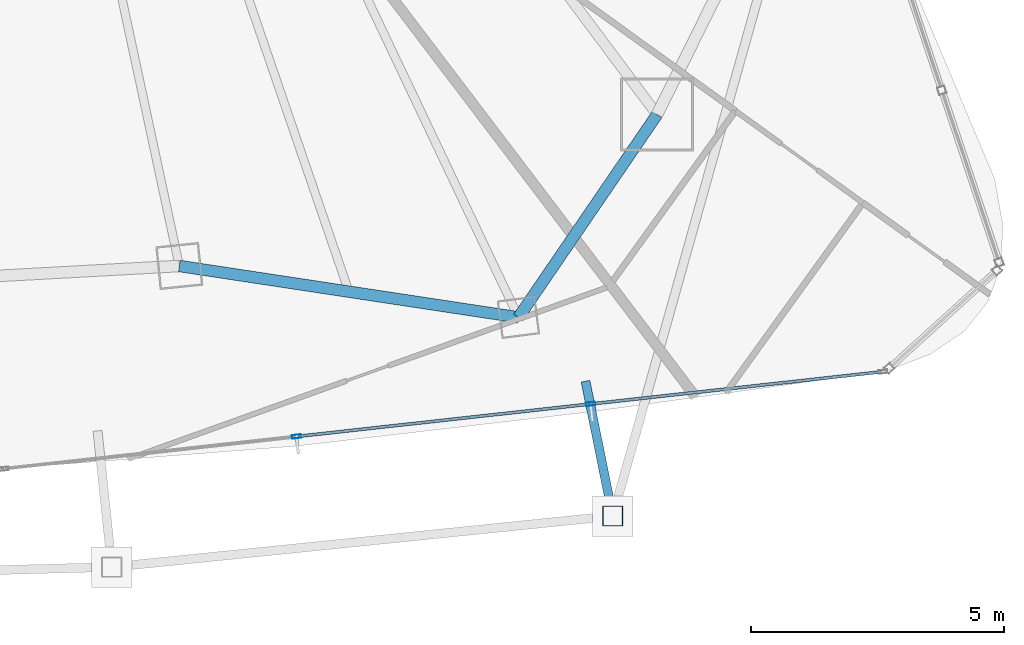
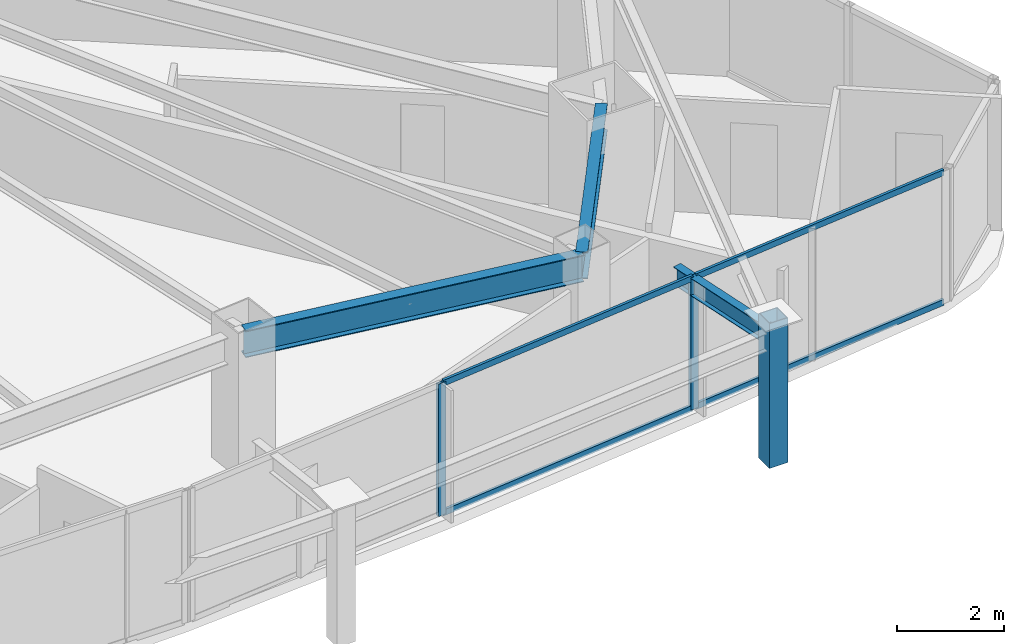
# One storey, part 12 of 30: 7 members, 3 beams, 1 element without a shape of its own.
"""IFC4 building model written with IfcOpenShell, lengths in metres."""

from ifc_helpers import new_model, si_unit, direction, frame, origin, origin_2d, place, context, subcontext, project, spatial, hollow_rectangle, i_section, extrude, material, layer, layer_set, material_profile, profile_set, type_object, element, aggregate, save


model = new_model("IFC4")

# Units and contexts
model_context = context("Model", 3, precision=1e-05, world=origin(), true_north=direction((0.0, 1.0)))
body_context = subcontext(model_context, "Body", "Model", "MODEL_VIEW")
ifc_project = project(units=[si_unit("LENGTHUNIT", "METRE"), si_unit("AREAUNIT", "SQUARE_METRE"), si_unit("VOLUMEUNIT", "CUBIC_METRE"), si_unit("PLANEANGLEUNIT", "RADIAN"), si_unit("MASSUNIT", "GRAM", prefix="KILO")], contexts=[model_context])

# Site, building, storey
site_placement = place(None, origin())
site = spatial("IfcSite", under=ifc_project, at=site_placement, CompositionType="ELEMENT")
building_placement = place(site_placement, origin())
building = spatial("IfcBuilding", under=site, at=building_placement, Name="Orvanel Arch Residences", CompositionType="ELEMENT")
storey_placement = place(building_placement, frame((0.0, 0.0, 143.0)))
storey = spatial("IfcBuildingStorey", under=building, at=storey_placement, Name="L40", CompositionType="ELEMENT", Elevation=143.0)

# Curtain wall, members
ifc_material_1 = material(Name="Bronze-anodised aluminium AA6063-T6", Category="aluminium")
ifc_layer = layer(ifc_material_1, 0.179931640625)
ifc_layer_set = layer_set([ifc_layer], Name="Bronze-anodised aluminium AA6063-T6")
curtain_wall_type = type_object("IfcCurtainWallType", Name="CW3-MID-SYS", PredefinedType="NOTDEFINED", material=ifc_layer_set)
curtain_wall_placement = place(storey_placement, origin())
curtain_wall = element("IfcCurtainWall", 1, at=curtain_wall_placement, inside=storey, type_object=curtain_wall_type, Name="L40 CW3-MID-SYS Unitised Curtain Wall", PredefinedType="NOTDEFINED")
ifc_material_profile_1 = material_profile(ifc_material_1, hollow_rectangle(XDim=0.070068359375, YDim=0.179931640625, WallThickness=0.00439453125, at=origin_2d()), Name="ALU180x70x4.5")
ifc_profile_set_1 = profile_set([ifc_material_profile_1], Name="Bronze-anodised aluminium AA6063-T6")
member_type_1 = type_object("IfcMemberType", Name="MUL-180x70", PredefinedType="MULLION", material=ifc_profile_set_1)
member_1_placement = place(storey_placement, frame((44.668701171875, 3.98193359375, 0.0), z_axis=(0.0, 0.0, 1.0), x_axis=(-0.109856452012, 0.993947463376, 0.0)))
member_1 = element("IfcMember", 2, at=member_1_placement, type_object=member_type_1, Name="CW-S3 mullion 2", PredefinedType="MULLION", context=body_context, shape_type="SweptSolid", body=[
    extrude(hollow_rectangle(XDim=0.070068359375, YDim=0.179931640625, WallThickness=0.00439453125, at=origin_2d()), origin(), (0.0, 0.0, 1.0), 3.02001953125),
])
member_2_placement = place(storey_placement, frame((50.486328125, 4.625, 0.0), z_axis=(0.0, 0.0, 1.0), x_axis=(-0.109856452012, 0.993947463376, 0.0)))
member_2 = element("IfcMember", 3, at=member_2_placement, type_object=member_type_1, Name="CW-S3 mullion 3", PredefinedType="MULLION", context=body_context, shape_type="SweptSolid", body=[
    extrude(hollow_rectangle(XDim=0.070068359375, YDim=0.179931640625, WallThickness=0.00439453125, at=origin_2d()), origin(), (0.0, 0.0, 1.0), 3.02001953125),
])

# Beams
ifc_material_2 = material(Name="Structural steel AS/NZS 3679.1 Grade 300 (300 MPa)", Category="steel")
ifc_material_profile_2 = material_profile(ifc_material_2, i_section(OverallWidth=0.177978515625, OverallDepth=0.406005859375, WebThickness=0.0078125, FlangeThickness=0.0126953125, at=origin_2d()), Name="410UB59.7")
ifc_profile_set_2 = profile_set([ifc_material_profile_2], Name="Structural steel AS/NZS 3679.1 Grade 300 (300 MPa)")
beam_type_1 = type_object("IfcBeamType", Name="OB-410UB-EXT", PredefinedType="SPANDREL", material=ifc_profile_set_2)
beam_1_placement = place(storey_placement, frame((50.385986328125, 5.076904296875, 2.81689453125), z_axis=(0.198047657535, -0.980192392005, 0.0), x_axis=(0.980192392005, 0.198047657535, 0.0)))
element("IfcBeam", 4, at=beam_1_placement, inside=storey, type_object=beam_type_1, Name="L40 Outer Frame Radial Tie Beam 08", PredefinedType="SPANDREL", context=body_context, shape_type="SweptSolid", body=[
    extrude(i_section(OverallWidth=0.177978515625, OverallDepth=0.406005859375, WebThickness=0.0078125, FlangeThickness=0.0126953125, at=origin_2d()), origin(), (0.0, 0.0, 1.0), 2.721923828125),
])
ifc_material_profile_3 = material_profile(ifc_material_2, i_section(OverallWidth=0.22900390625, OverallDepth=0.612060546875, WebThickness=0.011962890625, FlangeThickness=0.01953125, at=origin_2d()), Name="610UB125")
ifc_profile_set_3 = profile_set([ifc_material_profile_3], Name="Structural steel AS/NZS 3679.1 Grade 300 (300 MPa)")
beam_type_2 = type_object("IfcBeamType", Name="SP-610UB", PredefinedType="SPANDREL", material=ifc_profile_set_3)
beam_2_placement = place(storey_placement, frame((42.35107421875, 7.35498046875, 2.714111328125), z_axis=(0.988726323014, -0.149733958002, 0.0), x_axis=(0.149733958002, 0.988726323014, 0.0)))
element("IfcBeam", 5, at=beam_2_placement, inside=storey, type_object=beam_type_2, Name="L40 Perimeter Spandrel Beam 07", PredefinedType="SPANDREL", context=body_context, shape_type="SweptSolid", body=[
    extrude(i_section(OverallWidth=0.22900390625, OverallDepth=0.612060546875, WebThickness=0.011962890625, FlangeThickness=0.01953125, at=origin_2d()), origin(), (0.0, 0.0, 1.0), 6.784423828125),
])
beam_3_placement = place(storey_placement, frame((49.05908203125, 6.339111328125, 2.714111328125), z_axis=(0.564251579852, 0.825602903722, 0.0), x_axis=(-0.825602903722, 0.564251579852, 0.0)))
element("IfcBeam", 6, at=beam_3_placement, inside=storey, type_object=beam_type_2, Name="L40 Perimeter Spandrel Beam 08", PredefinedType="SPANDREL", context=body_context, shape_type="SweptSolid", body=[
    extrude(i_section(OverallWidth=0.22900390625, OverallDepth=0.612060546875, WebThickness=0.011962890625, FlangeThickness=0.01953125, at=origin_2d()), origin(), (0.0, 0.0, 1.0), 4.859375),
])

# Member
ifc_material_3 = material(Name="Structural steel AS/NZS 1163 C450L0 (Grade 450)", Category="steel")
ifc_material_profile_4 = material_profile(ifc_material_3, hollow_rectangle(XDim=0.39990234375, YDim=0.39990234375, WallThickness=0.01611328125, at=origin_2d()), Name="SHS400x400x16")
ifc_profile_set_4 = profile_set([ifc_material_profile_4], Name="Structural steel AS/NZS 1163 C450L0 (Grade 450)")
member_type_2 = type_object("IfcMemberType", Name="ST-400SHS-EXT", PredefinedType="STRUT", material=ifc_profile_set_4)
member_3_placement = place(storey_placement, frame((50.925048828125, 2.408935546875, 0.0), z_axis=(0.0, 0.0, 1.0), x_axis=(1.0, 0.0, 0.0)))
element("IfcMember", 7, at=member_3_placement, inside=storey, type_object=member_type_2, Name="L40 Outer Perimeter Frame Post 08", PredefinedType="STRUT", context=body_context, shape_type="SweptSolid", body=[
    extrude(hollow_rectangle(XDim=0.39990234375, YDim=0.39990234375, WallThickness=0.01611328125, at=origin_2d()), origin(), (0.0, 0.0, 1.0), 3.300048828125),
])

ifc_material_profile_5 = material_profile(ifc_material_1, hollow_rectangle(XDim=0.06005859375, YDim=0.135009765625, WallThickness=0.00390625, at=origin_2d()), Name="ALU135x60x4")
ifc_profile_set_5 = profile_set([ifc_material_profile_5], Name="Bronze-anodised aluminium AA6063-T6")
member_type_3 = type_object("IfcMemberType", Name="TRN-135x60", PredefinedType="USERDEFINED", material=ifc_profile_set_5)
member_4_placement = place(storey_placement, frame((44.703369140625, 3.98583984375, 0.030029296875), z_axis=(0.993948942037, 0.109843072719, 0.0), x_axis=(-0.109843072719, 0.993948942037, 0.0)))
member_4 = element("IfcMember", 8, at=member_4_placement, type_object=member_type_3, Name="CW-S3 transom 2.1", ObjectType="TRANSOM", PredefinedType="USERDEFINED", context=body_context, shape_type="SweptSolid", body=[
    extrude(hollow_rectangle(XDim=0.06005859375, YDim=0.135009765625, WallThickness=0.00390625, at=origin_2d()), origin(), (0.0, 0.0, 1.0), 5.783203125),
])

member_5_placement = place(storey_placement, frame((44.703369140625, 3.98583984375, 2.989990234375), z_axis=(0.993948942037, 0.109843072719, 0.0), x_axis=(-0.109843072719, 0.993948942037, 0.0)))
member_5 = element("IfcMember", 9, at=member_5_placement, type_object=member_type_3, Name="CW-S3 transom 2.2", ObjectType="TRANSOM", PredefinedType="USERDEFINED", context=body_context, shape_type="SweptSolid", body=[
    extrude(hollow_rectangle(XDim=0.06005859375, YDim=0.135009765625, WallThickness=0.00390625, at=origin_2d()), origin(), (0.0, 0.0, 1.0), 5.783203125),
])

member_6_placement = place(storey_placement, frame((50.521240234375, 4.62890625, 0.030029296875), z_axis=(0.993949342243, 0.109839451265, 0.0), x_axis=(-0.109839451265, 0.993949342243, 0.0)))
member_6 = element("IfcMember", 10, at=member_6_placement, type_object=member_type_3, Name="CW-S3 transom 3.1", ObjectType="TRANSOM", PredefinedType="USERDEFINED", context=body_context, shape_type="SweptSolid", body=[
    extrude(hollow_rectangle(XDim=0.06005859375, YDim=0.135009765625, WallThickness=0.00390625, at=origin_2d()), origin(), (0.0, 0.0, 1.0), 5.747802734375),
])

member_7_placement = place(storey_placement, frame((50.521240234375, 4.62890625, 2.989990234375), z_axis=(0.993949342243, 0.109839451265, 0.0), x_axis=(-0.109839451265, 0.993949342243, 0.0)))
member_7 = element("IfcMember", 11, at=member_7_placement, type_object=member_type_3, Name="CW-S3 transom 3.2", ObjectType="TRANSOM", PredefinedType="USERDEFINED", context=body_context, shape_type="SweptSolid", body=[
    extrude(hollow_rectangle(XDim=0.06005859375, YDim=0.135009765625, WallThickness=0.00390625, at=origin_2d()), origin(), (0.0, 0.0, 1.0), 5.747802734375),
])

aggregate(curtain_wall, [member_1, member_2, member_4, member_5, member_6, member_7])

save(model, "model.ifc")
